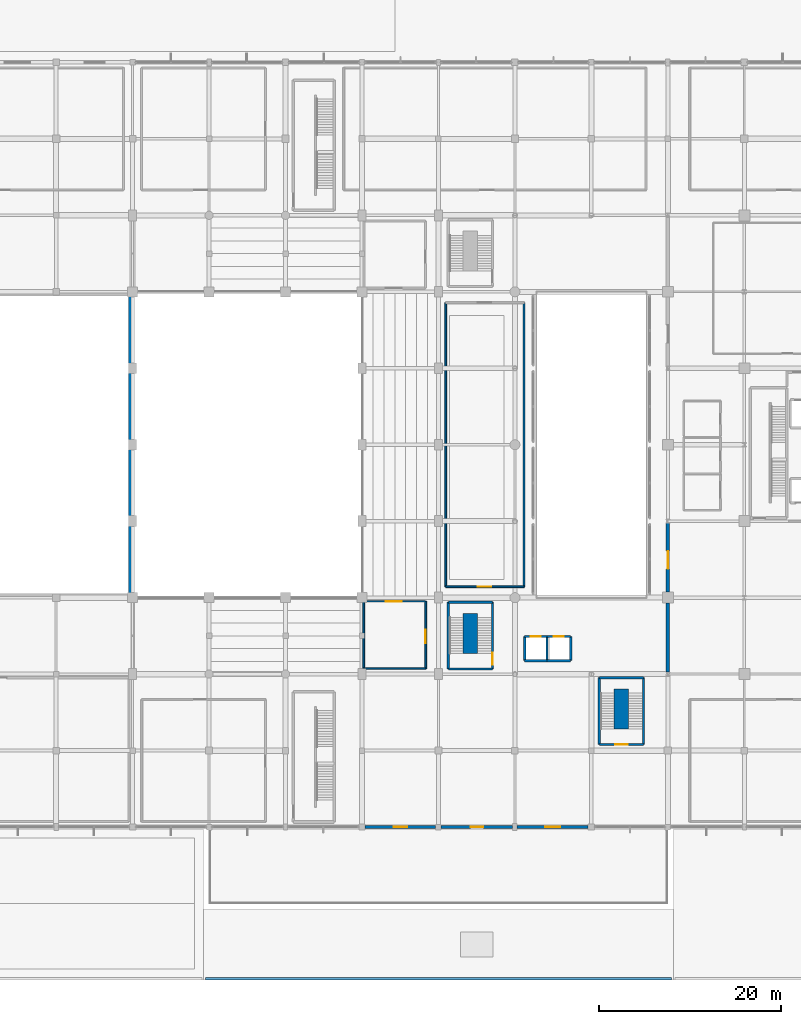
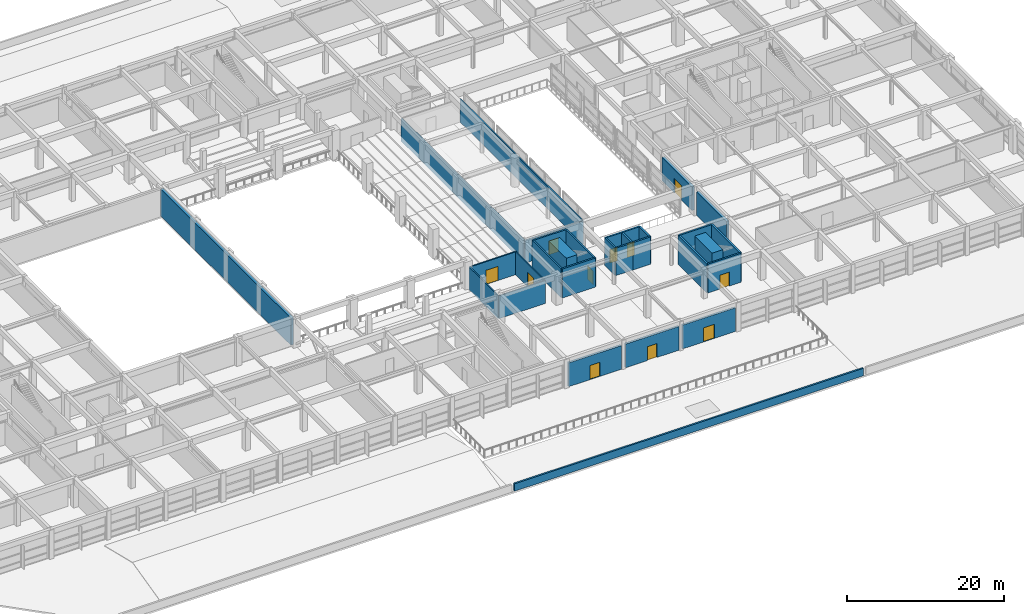
# One storey, part 45 of 60: 31 walls, 11 doors, 11 openings.
"""IFC4 building model written with IfcOpenShell, lengths in metres."""

from ifc_helpers import new_model, si_unit, direction, frame, frame_2d, origin, place, context, subcontext, project, spatial, rectangle, extrude, material, layer, layer_set, type_object, element, fill, save


model = new_model("IFC4")

# Units and contexts
model_context = context("Model", 3, precision=1e-05, world=origin(), true_north=direction((0.0, 1.0)))
body_context = subcontext(model_context, "Body", "Model", "MODEL_VIEW")
ifc_project = project(units=[si_unit("LENGTHUNIT", "METRE"), si_unit("AREAUNIT", "SQUARE_METRE"), si_unit("VOLUMEUNIT", "CUBIC_METRE"), si_unit("PLANEANGLEUNIT", "RADIAN"), si_unit("MASSUNIT", "GRAM", prefix="KILO")], contexts=[model_context])

# Site, building, storey
site_placement = place(None, origin())
site = spatial("IfcSite", under=ifc_project, at=site_placement, CompositionType="ELEMENT")
building_placement = place(site_placement, origin())
building = spatial("IfcBuilding", under=site, at=building_placement, Name="Xuanlan Plaza Opera House", CompositionType="ELEMENT")
storey_placement = place(building_placement, frame((0.0, 0.0, 9.89990234375)))
storey = spatial("IfcBuildingStorey", under=building, at=storey_placement, Name="L02", CompositionType="ELEMENT", Elevation=9.89990234375)

# Wall, opening, door
ifc_material_1 = material(Name="Anodised Aluminium 6063-T6 and Rockwool Cladding", Category="aluminium")
ifc_layer_1 = layer(ifc_material_1, 0.320068359375)
ifc_layer_set_1 = layer_set([ifc_layer_1], Name="Anodised Aluminium 6063-T6 and Rockwool Cladding")
wall_type_1 = type_object("IfcWallType", Name="ENV-WL-EW-03", PredefinedType="STANDARD", material=ifc_layer_set_1)
wall_1_placement = place(storey_placement, frame((92.75, 16.800048828125, 0.0), z_axis=(0.0, 0.0, 1.0), x_axis=(1.0, 0.0, 0.0)))
wall_1 = element("IfcWall", 1, at=wall_1_placement, inside=storey, type_object=wall_type_1, Name="Exterior Wall L02-011", PredefinedType="STANDARD", context=body_context, shape_type="SweptSolid", body=[
    extrude(rectangle(XDim=7.75, YDim=0.320068359375, at=frame_2d((3.875, 0.0))), origin(), (0.0, 0.0, 1.0), 3.68017578125),
])
opening_1_placement = place(wall_1_placement, frame((3.125, 0.0, 0.0)))
opening_1 = element("IfcOpeningElement", 2, at=opening_1_placement, cuts=wall_1, Name="Opening TD-02", PredefinedType="OPENING", context=body_context, shape_type="SweptSolid", body=[
    extrude(rectangle(XDim=1.5, YDim=2.199951171875, at=frame_2d((0.75, 1.10009765625))), frame((0.0, 0.169921875, 0.0), z_axis=(0.0, -1.0, 0.0), x_axis=(1.0, 0.0, 0.0)), (0.0, 0.0, 1.0), 0.340087890625),
])
ifc_material_2 = material(Name="Anodised Aluminium 6063-T6 and Laminated Safety Glass", Category="aluminium")
door_type_1 = type_object("IfcDoorType", Name="ENV-DR-TD-02", OperationType="DOUBLE_DOOR_SINGLE_SWING", PredefinedType="DOOR", material=ifc_material_2)
door_1_placement = place(opening_1_placement, frame((1.5, 0.0, 0.0), z_axis=(0.0, 0.0, 1.0), x_axis=(-1.0, 0.0, 0.0)))
door_1 = element("IfcDoor", 3, at=door_1_placement, inside=storey, type_object=door_type_1, Name="Terrace Access Door TERR-L02-11", OperationType="DOUBLE_DOOR_SINGLE_SWING", OverallHeight=2.199951171875, OverallWidth=1.5, PredefinedType="DOOR", context=body_context, shape_type="SweptSolid", body=[
    extrude(rectangle(XDim=1.5, YDim=2.199951171875, at=frame_2d((0.75, 1.10009765625))), frame((0.0, 0.02490234375, 0.0), z_axis=(0.0, -1.0, 0.0), x_axis=(1.0, 0.0, 0.0)), (0.0, 0.0, 1.0), 0.050048828125),
])
fill(opening_1, door_1)

ifc_layer_2 = layer(ifc_material_1, 0.31005859375)
ifc_layer_set_2 = layer_set([ifc_layer_2], Name="Anodised Aluminium 6063-T6 and Rockwool Cladding")
wall_type_2 = type_object("IfcWallType", Name="ENV-WL-EW-04", PredefinedType="STANDARD", material=ifc_layer_set_2)
wall_2_placement = place(storey_placement, frame((101.10009765625, 16.800048828125, 0.0), z_axis=(0.0, 0.0, 1.0), x_axis=(1.0, 0.0, 0.0)))
wall_2 = element("IfcWall", 4, at=wall_2_placement, inside=storey, type_object=wall_type_2, Name="Exterior Wall L02-012", PredefinedType="STANDARD", context=body_context, shape_type="SweptSolid", body=[
    extrude(rectangle(XDim=7.849853515625, YDim=0.31005859375, at=frame_2d((3.9248046875, 0.0))), origin(), (0.0, 0.0, 1.0), 3.68017578125),
])
opening_2_placement = place(wall_2_placement, frame((3.22509765625, 0.0, 0.0)))
opening_2 = element("IfcOpeningElement", 5, at=opening_2_placement, cuts=wall_2, Name="Opening TD-03", PredefinedType="OPENING", context=body_context, shape_type="SweptSolid", body=[
    extrude(rectangle(XDim=1.39990234375, YDim=2.14990234375, at=frame_2d((0.699951171875, 1.074951171875))), frame((0.0, 0.1650390625, 0.0), z_axis=(0.0, -1.0, 0.0), x_axis=(1.0, 0.0, 0.0)), (0.0, 0.0, 1.0), 0.330078125),
])
door_type_2 = type_object("IfcDoorType", Name="ENV-DR-TD-03", OperationType="DOUBLE_DOOR_SINGLE_SWING", PredefinedType="DOOR", material=ifc_material_2)
door_2_placement = place(opening_2_placement, frame((1.39990234375, 0.0, 0.0), z_axis=(0.0, 0.0, 1.0), x_axis=(-1.0, 0.0, 0.0)))
door_2 = element("IfcDoor", 6, at=door_2_placement, inside=storey, type_object=door_type_2, Name="Terrace Access Door TERR-L02-12", OperationType="DOUBLE_DOOR_SINGLE_SWING", OverallHeight=2.14990234375, OverallWidth=1.39990234375, PredefinedType="DOOR", context=body_context, shape_type="SweptSolid", body=[
    extrude(rectangle(XDim=1.39990234375, YDim=2.14990234375, at=frame_2d((0.699951171875, 1.074951171875))), frame((0.0, 0.02490234375, 0.0), z_axis=(0.0, -1.0, 0.0), x_axis=(1.0, 0.0, 0.0)), (0.0, 0.0, 1.0), 0.050048828125),
])
fill(opening_2, door_2)

ifc_layer_3 = layer(ifc_material_1, 0.2900390625)
ifc_layer_set_3 = layer_set([ifc_layer_3], Name="Anodised Aluminium 6063-T6 and Rockwool Cladding")
wall_type_3 = type_object("IfcWallType", Name="ENV-WL-EW-05", PredefinedType="STANDARD", material=ifc_layer_set_3)
wall_3_placement = place(storey_placement, frame((109.449951171875, 16.800048828125, 0.0), z_axis=(0.0, 0.0, 1.0), x_axis=(1.0, 0.0, 0.0)))
wall_3 = element("IfcWall", 7, at=wall_3_placement, inside=storey, type_object=wall_type_3, Name="Exterior Wall L02-013", PredefinedType="STANDARD", context=body_context, shape_type="SweptSolid", body=[
    extrude(rectangle(XDim=7.800048828125, YDim=0.2900390625, at=frame_2d((3.89990234375, 0.0))), origin(), (0.0, 0.0, 1.0), 3.68017578125),
])
opening_3_placement = place(wall_3_placement, frame((3.074951171875, 0.0, 0.0)))
opening_3 = element("IfcOpeningElement", 8, at=opening_3_placement, cuts=wall_3, Name="Opening TD-01", PredefinedType="OPENING", context=body_context, shape_type="SweptSolid", body=[
    extrude(rectangle(XDim=1.64990234375, YDim=2.199951171875, at=frame_2d((0.824951171875, 1.10009765625))), frame((0.0, 0.155029296875, 0.0), z_axis=(0.0, -1.0, 0.0), x_axis=(1.0, 0.0, 0.0)), (0.0, 0.0, 1.0), 0.31005859375),
])
door_type_3 = type_object("IfcDoorType", Name="ENV-DR-TD-01", OperationType="DOUBLE_DOOR_SINGLE_SWING", PredefinedType="DOOR", material=ifc_material_2)
door_3_placement = place(opening_3_placement, frame((1.64990234375, 0.0, 0.0), z_axis=(0.0, 0.0, 1.0), x_axis=(-1.0, 0.0, 0.0)))
door_3 = element("IfcDoor", 9, at=door_3_placement, inside=storey, type_object=door_type_3, Name="Terrace Access Door TERR-L02-13", OperationType="DOUBLE_DOOR_SINGLE_SWING", OverallHeight=2.199951171875, OverallWidth=1.64990234375, PredefinedType="DOOR", context=body_context, shape_type="SweptSolid", body=[
    extrude(rectangle(XDim=1.64990234375, YDim=2.199951171875, at=frame_2d((0.824951171875, 1.10009765625))), frame((0.0, 0.02490234375, 0.0), z_axis=(0.0, -1.0, 0.0), x_axis=(1.0, 0.0, 0.0)), (0.0, 0.0, 1.0), 0.050048828125),
])
fill(opening_3, door_3)

# Walls
ifc_material_3 = material(Name="Concrete C40", Category="concrete")
ifc_layer_4 = layer(ifc_material_3, 0.25)
ifc_layer_set_4 = layer_set([ifc_layer_4], Name="Concrete C40")
wall_type_4 = type_object("IfcWallType", Name="ENV-WL-PRP-01", PredefinedType="PARAPET", material=ifc_layer_set_4)
wall_4_placement = place(storey_placement, frame((75.199951171875, 0.14990234375, 0.0), z_axis=(0.0, 0.0, 1.0), x_axis=(1.0, 0.0, 0.0)))
element("IfcWall", 10, at=wall_4_placement, inside=storey, type_object=wall_type_4, Name="Plaza Arcade Roof Parapet Wall 02", PredefinedType="PARAPET", context=body_context, shape_type="SweptSolid", body=[
    extrude(rectangle(XDim=51.199951171875, YDim=0.25, at=frame_2d((25.60009765625, 0.0))), origin(), (0.0, 0.0, 1.0), 1.150146484375),
])
ifc_material_4 = material(Name="Gypsum Board and Galvanised Steel Studs", Category="gypsum")
ifc_layer_5 = layer(ifc_material_4, 0.179931640625)
ifc_layer_set_5 = layer_set([ifc_layer_5], Name="Gypsum Board and Galvanised Steel Studs")
wall_type_5 = type_object("IfcWallType", Name="INT-WL-PW-02", PredefinedType="PARTITIONING", material=ifc_layer_set_5)
wall_5_placement = place(storey_placement, frame((92.60009765625, 34.199951171875, 0.0), z_axis=(0.0, 0.0, 1.0), x_axis=(1.0, 0.0, 0.0)))
element("IfcWall", 11, at=wall_5_placement, inside=storey, type_object=wall_type_5, Name="Dress Circle Vomitory South Wall South", PredefinedType="PARTITIONING", context=body_context, shape_type="SweptSolid", body=[
    extrude(rectangle(XDim=6.7998046875, YDim=0.179931640625, at=frame_2d((3.39990234375, 0.0))), origin(), (0.0, 0.0, 1.0), 3.5400390625),
])

# Wall, opening, door
wall_6_placement = place(storey_placement, frame((92.60009765625, 41.60009765625, 0.0), z_axis=(0.0, 0.0, 1.0), x_axis=(1.0, 0.0, 0.0)))
wall_6 = element("IfcWall", 12, at=wall_6_placement, inside=storey, type_object=wall_type_5, Name="Dress Circle Vomitory South Wall North", PredefinedType="PARTITIONING", context=body_context, shape_type="SweptSolid", body=[
    extrude(rectangle(XDim=6.7998046875, YDim=0.179931640625, at=frame_2d((3.39990234375, 0.0))), origin(), (0.0, 0.0, 1.0), 3.5400390625),
])
opening_4_placement = place(wall_6_placement, frame((2.39990234375, 0.0, 0.0)))
opening_4 = element("IfcOpeningElement", 13, at=opening_4_placement, cuts=wall_6, Name="Opening FD-03", PredefinedType="OPENING", context=body_context, shape_type="SweptSolid", body=[
    extrude(rectangle(XDim=1.75, YDim=2.199951171875, at=frame_2d((0.875, 1.10009765625))), frame((0.0, 0.099853515625, 0.0), z_axis=(0.0, -1.0, 0.0), x_axis=(1.0, 0.0, 0.0)), (0.0, 0.0, 1.0), 0.199951171875),
])
ifc_material_5 = material(Name="Galvanised Steel Q235B", Category="steel")
door_type_4 = type_object("IfcDoorType", Name="INT-DR-FD-03", OperationType="DOUBLE_DOOR_SINGLE_SWING", PredefinedType="DOOR", material=ifc_material_5)
door_4_placement = place(opening_4_placement, origin())
door_4 = element("IfcDoor", 14, at=door_4_placement, inside=storey, type_object=door_type_4, Name="Dress Circle Vomitory South Door 1", OperationType="DOUBLE_DOOR_SINGLE_SWING", OverallHeight=2.199951171875, OverallWidth=1.75, PredefinedType="DOOR", context=body_context, shape_type="SweptSolid", body=[
    extrude(rectangle(XDim=1.75, YDim=2.199951171875, at=frame_2d((0.875, 1.10009765625))), frame((0.0, 0.02490234375, 0.0), z_axis=(0.0, -1.0, 0.0), x_axis=(1.0, 0.0, 0.0)), (0.0, 0.0, 1.0), 0.050048828125),
])
fill(opening_4, door_4)

# Wall
wall_7_placement = place(storey_placement, frame((92.60009765625, 34.199951171875, 0.0), z_axis=(0.0, 0.0, 1.0), x_axis=(0.0, 1.0, 0.0)))
element("IfcWall", 15, at=wall_7_placement, inside=storey, type_object=wall_type_5, Name="Dress Circle Vomitory South Wall West", PredefinedType="PARTITIONING", context=body_context, shape_type="SweptSolid", body=[
    extrude(rectangle(XDim=7.400146484375, YDim=0.179931640625, at=frame_2d((3.7001953125, 0.0))), origin(), (0.0, 0.0, 1.0), 3.5400390625),
])

# Wall, opening, door
wall_8_placement = place(storey_placement, frame((99.39990234375, 34.199951171875, 0.0), z_axis=(0.0, 0.0, 1.0), x_axis=(0.0, 1.0, 0.0)))
wall_8 = element("IfcWall", 16, at=wall_8_placement, inside=storey, type_object=wall_type_5, Name="Dress Circle Vomitory South Wall East", PredefinedType="PARTITIONING", context=body_context, shape_type="SweptSolid", body=[
    extrude(rectangle(XDim=7.400146484375, YDim=0.179931640625, at=frame_2d((3.7001953125, 0.0))), origin(), (0.0, 0.0, 1.0), 3.5400390625),
])
opening_5_placement = place(wall_8_placement, frame((2.800048828125, 0.0, 0.0)))
opening_5 = element("IfcOpeningElement", 17, at=opening_5_placement, cuts=wall_8, Name="Opening D-03", PredefinedType="OPENING", context=body_context, shape_type="SweptSolid", body=[
    extrude(rectangle(XDim=1.5, YDim=2.199951171875, at=frame_2d((0.75, 1.10009765625))), frame((0.0, 0.099853515625, 0.0), z_axis=(0.0, -1.0, 0.0), x_axis=(1.0, 0.0, 0.0)), (0.0, 0.0, 1.0), 0.199951171875),
])
ifc_material_6 = material(Name="Walnut Hardwood Timber", Category="wood")
door_type_5 = type_object("IfcDoorType", Name="INT-DR-D-03", OperationType="DOUBLE_DOOR_SINGLE_SWING", PredefinedType="DOOR", material=ifc_material_6)
door_5_placement = place(opening_5_placement, origin())
door_5 = element("IfcDoor", 18, at=door_5_placement, inside=storey, type_object=door_type_5, Name="Dress Circle Vomitory South Door 1", OperationType="DOUBLE_DOOR_SINGLE_SWING", OverallHeight=2.199951171875, OverallWidth=1.5, PredefinedType="DOOR", context=body_context, shape_type="SweptSolid", body=[
    extrude(rectangle(XDim=1.5, YDim=2.199951171875, at=frame_2d((0.75, 1.10009765625))), frame((0.0, 0.02490234375, 0.0), z_axis=(0.0, -1.0, 0.0), x_axis=(1.0, 0.0, 0.0)), (0.0, 0.0, 1.0), 0.050048828125),
])
fill(opening_5, door_5)

wall_9_placement = place(storey_placement, frame((101.60009765625, 43.199951171875, 0.0), z_axis=(0.0, 0.0, 1.0), x_axis=(1.0, 0.0, 0.0)))
wall_9 = element("IfcWall", 19, at=wall_9_placement, inside=storey, type_object=wall_type_5, Name="Bel Canto Interval Lounge Wall South", PredefinedType="PARTITIONING", context=body_context, shape_type="SweptSolid", body=[
    extrude(rectangle(XDim=8.599853515625, YDim=0.179931640625, at=frame_2d((4.2998046875, 0.0))), origin(), (0.0, 0.0, 1.0), 3.5400390625),
])
opening_6_placement = place(wall_9_placement, frame((3.5, 0.0, 0.0)))
opening_6 = element("IfcOpeningElement", 20, at=opening_6_placement, cuts=wall_9, Name="Opening D-03", PredefinedType="OPENING", context=body_context, shape_type="SweptSolid", body=[
    extrude(rectangle(XDim=1.5, YDim=2.199951171875, at=frame_2d((0.75, 1.10009765625))), frame((0.0, 0.099853515625, 0.0), z_axis=(0.0, -1.0, 0.0), x_axis=(1.0, 0.0, 0.0)), (0.0, 0.0, 1.0), 0.199951171875),
])
door_6_placement = place(opening_6_placement, origin())
door_6 = element("IfcDoor", 21, at=door_6_placement, inside=storey, type_object=door_type_5, Name="Bel Canto Interval Lounge Door 1", OperationType="DOUBLE_DOOR_SINGLE_SWING", OverallHeight=2.199951171875, OverallWidth=1.5, PredefinedType="DOOR", context=body_context, shape_type="SweptSolid", body=[
    extrude(rectangle(XDim=1.5, YDim=2.199951171875, at=frame_2d((0.75, 1.10009765625))), frame((0.0, 0.02490234375, 0.0), z_axis=(0.0, -1.0, 0.0), x_axis=(1.0, 0.0, 0.0)), (0.0, 0.0, 1.0), 0.050048828125),
])
fill(opening_6, door_6)

# Walls
for number, where, z_axis, x_axis, name in (
    (22, (101.60009765625, 43.199951171875, 0.0), (0.0, 0.0, 1.0), (0.0, 1.0, 0.0), "Bel Canto Interval Lounge Wall West"),
    (23, (110.199951171875, 43.199951171875, 0.0), (0.0, 0.0, 1.0), (0.0, 1.0, 0.0), "Bel Canto Interval Lounge Wall East"),
):
    element("IfcWall", number, at=place(storey_placement, frame(where, z_axis=z_axis, x_axis=x_axis)), inside=storey, type_object=wall_type_5, Name=name, PredefinedType="PARTITIONING", context=body_context, shape_type="SweptSolid", body=[
        extrude(rectangle(XDim=31.199951171875, YDim=0.179931640625, at=frame_2d((15.60009765625, 0.0))), origin(), (0.0, 0.0, 1.0), 3.5400390625),
    ])
ifc_material_7 = material(Name="Concrete C50", Category="concrete")
ifc_layer_6 = layer(ifc_material_7, 0.3798828125)
ifc_layer_set_6 = layer_set([ifc_layer_6], Name="Concrete C50")
wall_type_6 = type_object("IfcWallType", Name="INT-WL-SW-FW1", PredefinedType="SHEAR", material=ifc_layer_set_6)
wall_10_placement = place(storey_placement, frame((126.0, 33.806884765625, 0.0), z_axis=(0.0, 0.0, 1.0), x_axis=(0.0, 1.0, 0.0)))
element("IfcWall", 24, at=wall_10_placement, inside=storey, type_object=wall_type_6, Name="Opera-Tower Compartment Firewall L02-01", PredefinedType="SHEAR", context=body_context, shape_type="SweptSolid", body=[
    extrude(rectangle(XDim=7.593017578125, YDim=0.3798828125, at=frame_2d((3.79638671875, 0.0))), origin(), (0.0, 0.0, 1.0), 3.650146484375),
])

# Wall, opening, door
wall_11_placement = place(storey_placement, frame((126.0, 42.60009765625, 0.0), z_axis=(0.0, 0.0, 1.0), x_axis=(0.0, 1.0, 0.0)))
wall_11 = element("IfcWall", 25, at=wall_11_placement, inside=storey, type_object=wall_type_6, Name="Opera-Tower Compartment Firewall L02-02", PredefinedType="SHEAR", context=body_context, shape_type="SweptSolid", body=[
    extrude(rectangle(XDim=7.593017578125, YDim=0.3798828125, at=frame_2d((3.79638671875, 0.0))), origin(), (0.0, 0.0, 1.0), 3.650146484375),
])
opening_7_placement = place(wall_11_placement, frame((2.574951171875, 0.0, 0.0)))
opening_7 = element("IfcOpeningElement", 26, at=opening_7_placement, cuts=wall_11, Name="Opening FD-04", PredefinedType="OPENING", context=body_context, shape_type="SweptSolid", body=[
    extrude(rectangle(XDim=1.949951171875, YDim=2.300048828125, at=frame_2d((0.97509765625, 1.14990234375))), frame((0.0, 0.199951171875, 0.0), z_axis=(0.0, -1.0, 0.0), x_axis=(1.0, 0.0, 0.0)), (0.0, 0.0, 1.0), 0.39990234375),
])
door_type_6 = type_object("IfcDoorType", Name="INT-DR-FD-04", OperationType="DOUBLE_DOOR_SINGLE_SWING", PredefinedType="DOOR", material=ifc_material_5)
door_7_placement = place(opening_7_placement, origin())
door_7 = element("IfcDoor", 27, at=door_7_placement, inside=storey, type_object=door_type_6, Name="Compartment Firewall Door L02-02", OperationType="DOUBLE_DOOR_SINGLE_SWING", OverallHeight=2.300048828125, OverallWidth=1.949951171875, PredefinedType="DOOR", context=body_context, shape_type="SweptSolid", body=[
    extrude(rectangle(XDim=1.949951171875, YDim=2.300048828125, at=frame_2d((0.97509765625, 1.14990234375))), frame((0.0, 0.02490234375, 0.0), z_axis=(0.0, -1.0, 0.0), x_axis=(1.0, 0.0, 0.0)), (0.0, 0.0, 1.0), 0.050048828125),
])
fill(opening_7, door_7)

# Walls
wall_12_placement = place(storey_placement, frame((66.949951171875, 42.25, 0.0), z_axis=(0.0, 0.0, 1.0), x_axis=(0.0, 1.0, 0.0)))
element("IfcWall", 28, at=wall_12_placement, inside=storey, type_object=wall_type_6, Name="Proscenium and Fly Shaft Wall L02-E", PredefinedType="SHEAR", context=body_context, shape_type="SweptSolid", body=[
    extrude(rectangle(XDim=33.10009765625, YDim=0.3798828125, at=frame_2d((16.550048828125, 0.0))), origin(), (0.0, 0.0, 1.0), 4.2001953125),
])
ifc_layer_7 = layer(ifc_material_3, 0.25)
ifc_layer_set_7 = layer_set([ifc_layer_7], Name="Concrete C40")
wall_type_7 = type_object("IfcWallType", Name="INT-WL-SW-LF1", PredefinedType="SHEAR", material=ifc_layer_set_7)
wall_13_placement = place(storey_placement, frame((110.27490234375, 35.074951171875, 0.0), z_axis=(0.0, 0.0, 1.0), x_axis=(1.0, 0.0, 0.0)))
element("IfcWall", 29, at=wall_13_placement, inside=storey, type_object=wall_type_7, Name="Lift Shaft Wall LF-OP1 L02 South", PredefinedType="SHEAR", context=body_context, shape_type="SweptSolid", body=[
    extrude(rectangle(XDim=2.4501953125, YDim=0.25, at=frame_2d((1.22509765625, 0.0))), origin(), (0.0, 0.0, 1.0), 4.239990234375),
])

# Wall, opening, door
wall_14_placement = place(storey_placement, frame((110.27490234375, 37.72509765625, 0.0), z_axis=(0.0, 0.0, 1.0), x_axis=(1.0, 0.0, 0.0)))
wall_14 = element("IfcWall", 30, at=wall_14_placement, inside=storey, type_object=wall_type_7, Name="Lift Shaft Wall LF-OP1 L02 North", PredefinedType="SHEAR", context=body_context, shape_type="SweptSolid", body=[
    extrude(rectangle(XDim=2.4501953125, YDim=0.25, at=frame_2d((1.22509765625, 0.0))), origin(), (0.0, 0.0, 1.0), 4.239990234375),
])
opening_8_placement = place(wall_14_placement, frame((0.675048828125, 0.0, 0.0)))
opening_8 = element("IfcOpeningElement", 31, at=opening_8_placement, cuts=wall_14, Name="Opening LD-OP1-L02", PredefinedType="OPENING", context=body_context, shape_type="SweptSolid", body=[
    extrude(rectangle(XDim=1.10009765625, YDim=2.14990234375, at=frame_2d((0.550048828125, 1.074951171875))), frame((0.0, 0.135009765625, 0.0), z_axis=(0.0, -1.0, 0.0), x_axis=(1.0, 0.0, 0.0)), (0.0, 0.0, 1.0), 0.27001953125),
])
ifc_material_8 = material(Name="Stainless Steel S30408", Category="steel")
door_type_7 = type_object("IfcDoorType", Name="INT-DR-LD-01", OperationType="DOUBLE_DOOR_SLIDING", PredefinedType="DOOR", material=ifc_material_8)
door_8_placement = place(opening_8_placement, origin())
door_8 = element("IfcDoor", 32, at=door_8_placement, inside=storey, type_object=door_type_7, Name="Lift Sliding Landing Door LF-OP1 L02", OperationType="DOUBLE_DOOR_SLIDING", OverallHeight=2.14990234375, OverallWidth=1.10009765625, PredefinedType="DOOR", context=body_context, shape_type="SweptSolid", body=[
    extrude(rectangle(XDim=1.10009765625, YDim=2.14990234375, at=frame_2d((0.550048828125, 1.074951171875))), frame((0.0, 0.02490234375, 0.0), z_axis=(0.0, -1.0, 0.0), x_axis=(1.0, 0.0, 0.0)), (0.0, 0.0, 1.0), 0.050048828125),
])
fill(opening_8, door_8)

# Walls
for number, where, z_axis, x_axis, name in (
    (33, (110.27490234375, 35.074951171875, 0.0), (0.0, 0.0, 1.0), (0.0, 1.0, 0.0), "Lift Shaft Wall LF-OP1 L02 West"),
    (34, (112.72509765625, 35.074951171875, 0.0), (0.0, 0.0, 1.0), (0.0, 1.0, 0.0), "Lift Shaft Wall LF-OP1 L02 East"),
):
    element("IfcWall", number, at=place(storey_placement, frame(where, z_axis=z_axis, x_axis=x_axis)), inside=storey, type_object=wall_type_7, Name=name, PredefinedType="SHEAR", context=body_context, shape_type="SweptSolid", body=[
        extrude(rectangle(XDim=2.650146484375, YDim=0.25, at=frame_2d((1.3251953125, 0.0))), origin(), (0.0, 0.0, 1.0), 4.239990234375),
    ])
wall_15_placement = place(storey_placement, frame((112.72509765625, 35.074951171875, 0.0), z_axis=(0.0, 0.0, 1.0), x_axis=(1.0, 0.0, 0.0)))
element("IfcWall", 35, at=wall_15_placement, inside=storey, type_object=wall_type_7, Name="Lift Shaft Wall LF-OP2 L02 South", PredefinedType="SHEAR", context=body_context, shape_type="SweptSolid", body=[
    extrude(rectangle(XDim=2.599853515625, YDim=0.25, at=frame_2d((1.2998046875, 0.0))), origin(), (0.0, 0.0, 1.0), 4.239990234375),
])

# Wall, opening, door
wall_16_placement = place(storey_placement, frame((112.72509765625, 37.72509765625, 0.0), z_axis=(0.0, 0.0, 1.0), x_axis=(1.0, 0.0, 0.0)))
wall_16 = element("IfcWall", 36, at=wall_16_placement, inside=storey, type_object=wall_type_7, Name="Lift Shaft Wall LF-OP2 L02 North", PredefinedType="SHEAR", context=body_context, shape_type="SweptSolid", body=[
    extrude(rectangle(XDim=2.599853515625, YDim=0.25, at=frame_2d((1.2998046875, 0.0))), origin(), (0.0, 0.0, 1.0), 4.239990234375),
])
opening_9_placement = place(wall_16_placement, frame((0.75, 0.0, 0.0)))
opening_9 = element("IfcOpeningElement", 37, at=opening_9_placement, cuts=wall_16, Name="Opening LD-OP2-L02", PredefinedType="OPENING", context=body_context, shape_type="SweptSolid", body=[
    extrude(rectangle(XDim=1.10009765625, YDim=2.14990234375, at=frame_2d((0.550048828125, 1.074951171875))), frame((0.0, 0.135009765625, 0.0), z_axis=(0.0, -1.0, 0.0), x_axis=(1.0, 0.0, 0.0)), (0.0, 0.0, 1.0), 0.27001953125),
])
door_9_placement = place(opening_9_placement, origin())
door_9 = element("IfcDoor", 38, at=door_9_placement, inside=storey, type_object=door_type_7, Name="Lift Sliding Landing Door LF-OP2 L02", OperationType="DOUBLE_DOOR_SLIDING", OverallHeight=2.14990234375, OverallWidth=1.10009765625, PredefinedType="DOOR", context=body_context, shape_type="SweptSolid", body=[
    extrude(rectangle(XDim=1.10009765625, YDim=2.14990234375, at=frame_2d((0.550048828125, 1.074951171875))), frame((0.0, 0.02490234375, 0.0), z_axis=(0.0, -1.0, 0.0), x_axis=(1.0, 0.0, 0.0)), (0.0, 0.0, 1.0), 0.050048828125),
])
fill(opening_9, door_9)

# Walls
wall_17_placement = place(storey_placement, frame((115.324951171875, 35.074951171875, 0.0), z_axis=(0.0, 0.0, 1.0), x_axis=(0.0, 1.0, 0.0)))
element("IfcWall", 39, at=wall_17_placement, inside=storey, type_object=wall_type_7, Name="Lift Shaft Wall LF-OP2 L02 East", PredefinedType="SHEAR", context=body_context, shape_type="SweptSolid", body=[
    extrude(rectangle(XDim=2.650146484375, YDim=0.25, at=frame_2d((1.3251953125, 0.0))), origin(), (0.0, 0.0, 1.0), 4.239990234375),
])
ifc_layer_8 = layer(ifc_material_7, 1.60009765625)
ifc_layer_set_8 = layer_set([ifc_layer_8], Name="Concrete C50")
wall_type_8 = type_object("IfcWallType", Name="INT-WL-SW-SP2", PredefinedType="SHEAR", material=ifc_layer_set_8)
wall_18_placement = place(storey_placement, frame((104.300048828125, 35.8798828125, 0.0), z_axis=(0.0, 0.0, 1.0), x_axis=(0.0, 1.0, 0.0)))
element("IfcWall", 40, at=wall_18_placement, inside=storey, type_object=wall_type_8, Name="Half-Turn Stair Structural Spine Wall ST-F1 L02", PredefinedType="SHEAR", context=body_context, shape_type="SweptSolid", body=[
    extrude(rectangle(XDim=4.400146484375, YDim=1.60009765625, at=frame_2d((2.2001953125, 0.0))), origin(), (0.0, 0.0, 1.0), 4.5),
])
wall_19_placement = place(storey_placement, frame((120.89990234375, 27.580078125, 0.0), z_axis=(0.0, 0.0, 1.0), x_axis=(0.0, 1.0, 0.0)))
element("IfcWall", 41, at=wall_19_placement, inside=storey, type_object=wall_type_8, Name="Half-Turn Stair Structural Spine Wall ST-F3 L02", PredefinedType="SHEAR", context=body_context, shape_type="SweptSolid", body=[
    extrude(rectangle(XDim=4.39990234375, YDim=1.60009765625, at=frame_2d((2.199951171875, 0.0))), origin(), (0.0, 0.0, 1.0), 4.5),
])
ifc_layer_9 = layer(ifc_material_3, 0.25)
ifc_layer_set_9 = layer_set([ifc_layer_9], Name="Concrete C40")
wall_type_9 = type_object("IfcWallType", Name="INT-WL-SW-ST2", PredefinedType="SHEAR", material=ifc_layer_set_9)
for number, where, z_axis, x_axis, name in (
    (42, (101.875, 34.175048828125, 0.0), (0.0, 0.0, 1.0), (1.0, 0.0, 0.0), "Stair Core Wall ST-F1 L02 South"),
    (43, (101.875, 41.5048828125, 0.0), (0.0, 0.0, 1.0), (1.0, 0.0, 0.0), "Stair Core Wall ST-F1 L02 North"),
):
    element("IfcWall", number, at=place(storey_placement, frame(where, z_axis=z_axis, x_axis=x_axis)), inside=storey, type_object=wall_type_9, Name=name, PredefinedType="SHEAR", context=body_context, shape_type="SweptSolid", body=[
        extrude(rectangle(XDim=4.85009765625, YDim=0.25, at=frame_2d((2.425048828125, 0.0))), origin(), (0.0, 0.0, 1.0), 4.5),
    ])
wall_20_placement = place(storey_placement, frame((101.875, 34.175048828125, 0.0), z_axis=(0.0, 0.0, 1.0), x_axis=(0.0, 1.0, 0.0)))
element("IfcWall", 44, at=wall_20_placement, inside=storey, type_object=wall_type_9, Name="Stair Core Wall ST-F1 L02 West", PredefinedType="SHEAR", context=body_context, shape_type="SweptSolid", body=[
    extrude(rectangle(XDim=7.329833984375, YDim=0.25, at=frame_2d((3.6650390625, 0.0))), origin(), (0.0, 0.0, 1.0), 4.5),
])

# Wall, opening, door
wall_21_placement = place(storey_placement, frame((106.72509765625, 34.175048828125, 0.0), z_axis=(0.0, 0.0, 1.0), x_axis=(0.0, 1.0, 0.0)))
wall_21 = element("IfcWall", 45, at=wall_21_placement, inside=storey, type_object=wall_type_9, Name="Stair Core Wall ST-F1 L02 East", PredefinedType="SHEAR", context=body_context, shape_type="SweptSolid", body=[
    extrude(rectangle(XDim=7.329833984375, YDim=0.25, at=frame_2d((3.6650390625, 0.0))), origin(), (0.0, 0.0, 1.0), 4.5),
])
opening_10_placement = place(wall_21_placement, frame((0.449951171875, 0.0, 0.0)))
opening_10 = element("IfcOpeningElement", 46, at=opening_10_placement, cuts=wall_21, Name="Opening FD-ST2", PredefinedType="OPENING", context=body_context, shape_type="SweptSolid", body=[
    extrude(rectangle(XDim=1.35009765625, YDim=2.14990234375, at=frame_2d((0.675048828125, 1.074951171875))), frame((0.0, 0.135009765625, 0.0), z_axis=(0.0, -1.0, 0.0), x_axis=(1.0, 0.0, 0.0)), (0.0, 0.0, 1.0), 0.27001953125),
])
door_type_8 = type_object("IfcDoorType", Name="INT-DR-FD-ST2", OperationType="NOTDEFINED", PredefinedType="DOOR", material=ifc_material_5)
door_10_placement = place(opening_10_placement, origin())
door_10 = element("IfcDoor", 47, at=door_10_placement, inside=storey, type_object=door_type_8, Name="Stair Enclosure Fire Door ST-F1 L02", OperationType="SINGLE_SWING_LEFT", OverallHeight=2.14990234375, OverallWidth=1.35009765625, PredefinedType="DOOR", context=body_context, shape_type="SweptSolid", body=[
    extrude(rectangle(XDim=1.35009765625, YDim=2.14990234375, at=frame_2d((0.675048828125, 1.074951171875))), frame((0.0, 0.02490234375, 0.0), z_axis=(0.0, -1.0, 0.0), x_axis=(1.0, 0.0, 0.0)), (0.0, 0.0, 1.0), 0.050048828125),
])
fill(opening_10, door_10)

wall_22_placement = place(storey_placement, frame((118.47509765625, 25.875, 0.0), z_axis=(0.0, 0.0, 1.0), x_axis=(1.0, 0.0, 0.0)))
wall_22 = element("IfcWall", 48, at=wall_22_placement, inside=storey, type_object=wall_type_9, Name="Stair Core Wall ST-F3 L02 South", PredefinedType="SHEAR", context=body_context, shape_type="SweptSolid", body=[
    extrude(rectangle(XDim=4.849853515625, YDim=0.25, at=frame_2d((2.4248046875, 0.0))), origin(), (0.0, 0.0, 1.0), 4.5),
])
opening_11_placement = place(wall_22_placement, frame((1.75, 0.0, 0.0)))
opening_11 = element("IfcOpeningElement", 49, at=opening_11_placement, cuts=wall_22, Name="Opening FD-ST2", PredefinedType="OPENING", context=body_context, shape_type="SweptSolid", body=[
    extrude(rectangle(XDim=1.35009765625, YDim=2.14990234375, at=frame_2d((0.675048828125, 1.074951171875))), frame((0.0, 0.135009765625, 0.0), z_axis=(0.0, -1.0, 0.0), x_axis=(1.0, 0.0, 0.0)), (0.0, 0.0, 1.0), 0.27001953125),
])
door_11_placement = place(opening_11_placement, origin())
door_11 = element("IfcDoor", 50, at=door_11_placement, inside=storey, type_object=door_type_8, Name="Stair Enclosure Fire Door ST-F3 L02", OperationType="SINGLE_SWING_RIGHT", OverallHeight=2.14990234375, OverallWidth=1.35009765625, PredefinedType="DOOR", context=body_context, shape_type="SweptSolid", body=[
    extrude(rectangle(XDim=1.35009765625, YDim=2.14990234375, at=frame_2d((0.675048828125, 1.074951171875))), frame((0.0, 0.02490234375, 0.0), z_axis=(0.0, -1.0, 0.0), x_axis=(1.0, 0.0, 0.0)), (0.0, 0.0, 1.0), 0.050048828125),
])
fill(opening_11, door_11)

# Walls
wall_23_placement = place(storey_placement, frame((118.47509765625, 33.205078125, 0.0), z_axis=(0.0, 0.0, 1.0), x_axis=(1.0, 0.0, 0.0)))
element("IfcWall", 51, at=wall_23_placement, inside=storey, type_object=wall_type_9, Name="Stair Core Wall ST-F3 L02 North", PredefinedType="SHEAR", context=body_context, shape_type="SweptSolid", body=[
    extrude(rectangle(XDim=4.849853515625, YDim=0.25, at=frame_2d((2.4248046875, 0.0))), origin(), (0.0, 0.0, 1.0), 4.5),
])
for number, where, z_axis, x_axis, name in (
    (52, (118.47509765625, 25.875, 0.0), (0.0, 0.0, 1.0), (0.0, 1.0, 0.0), "Stair Core Wall ST-F3 L02 West"),
    (53, (123.324951171875, 25.875, 0.0), (0.0, 0.0, 1.0), (0.0, 1.0, 0.0), "Stair Core Wall ST-F3 L02 East"),
):
    element("IfcWall", number, at=place(storey_placement, frame(where, z_axis=z_axis, x_axis=x_axis)), inside=storey, type_object=wall_type_9, Name=name, PredefinedType="SHEAR", context=body_context, shape_type="SweptSolid", body=[
        extrude(rectangle(XDim=7.330078125, YDim=0.25, at=frame_2d((3.6650390625, 0.0))), origin(), (0.0, 0.0, 1.0), 4.5),
    ])

save(model, "model.ifc")
